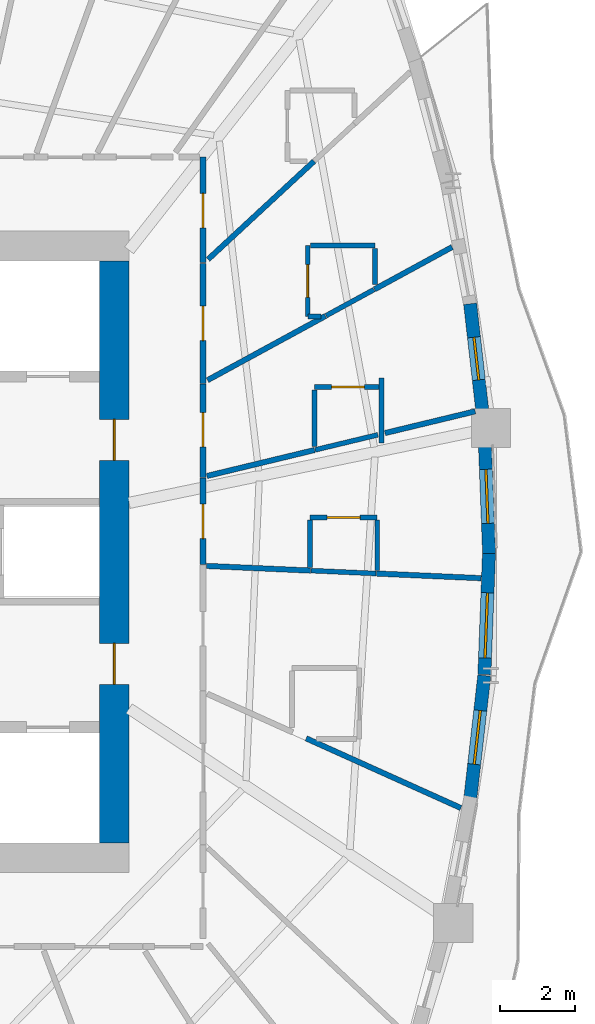
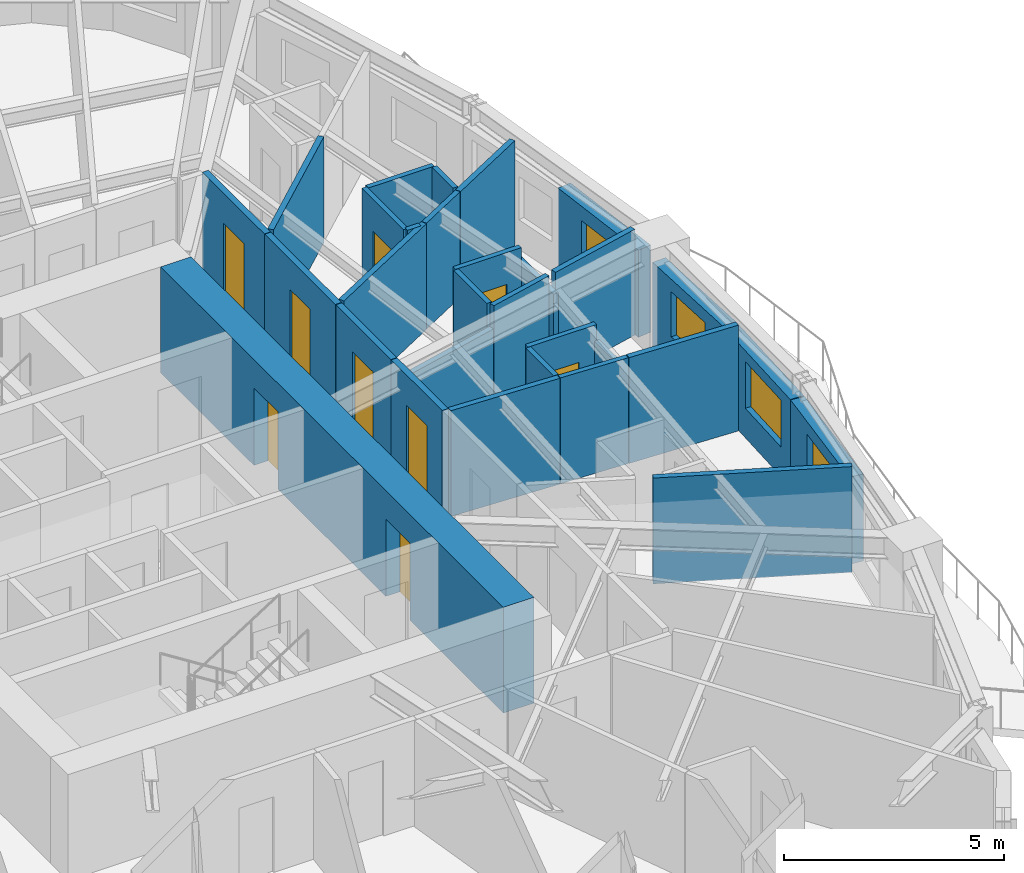
# One storey, part 7 of 14: 30 walls, 9 doors, 4 windows, 13 openings.
"""IFC4 building model written with IfcOpenShell, lengths in metres."""

from ifc_helpers import new_model, si_unit, direction, frame, frame_2d, origin, place, context, subcontext, project, spatial, rectangle, extrude, source, transform, mapped, material, layer, layer_set, type_object, element, fill, save


model = new_model("IFC4")

# Units and contexts
model_context = context("Model", 3, precision=1e-05, world=origin(), true_north=direction((0.0, 1.0)))
body_context = subcontext(model_context, "Body", "Model", "MODEL_VIEW")
ifc_project = project(units=[si_unit("LENGTHUNIT", "METRE"), si_unit("AREAUNIT", "SQUARE_METRE"), si_unit("VOLUMEUNIT", "CUBIC_METRE"), si_unit("PLANEANGLEUNIT", "RADIAN"), si_unit("MASSUNIT", "GRAM", prefix="KILO")], contexts=[model_context])

# Site, building, storey
site_placement = place(None, origin())
site = spatial("IfcSite", under=ifc_project, at=site_placement, CompositionType="ELEMENT")
building_placement = place(site_placement, origin())
building = spatial("IfcBuilding", under=site, at=building_placement, Name="Qafzar Sky-Pleat Residences", CompositionType="ELEMENT")
storey_placement = place(building_placement, frame((0.0, 0.0, 20.60009765625)))
storey = spatial("IfcBuildingStorey", under=building, at=storey_placement, Name="L05", CompositionType="ELEMENT", Elevation=20.60009765625)

# Wall, opening, door
ifc_material_1 = material(Name="Acoustic gypsum plasterboard partition", Category="gypsum")
ifc_layer_1 = layer(ifc_material_1, 0.159912109375)
ifc_layer_set_1 = layer_set([ifc_layer_1], Name="Acoustic gypsum plasterboard partition")
wall_type_1 = type_object("IfcWallType", Name="PART-COR-160", PredefinedType="PARTITIONING", material=ifc_layer_set_1)
wall_1_placement = place(storey_placement, frame((38.679931640625, 33.735107421875, 0.0), z_axis=(0.0, 0.0, 1.0), x_axis=(0.0, -1.0, 0.0)))
wall_1 = element("IfcWall", 1, at=wall_1_placement, inside=storey, type_object=wall_type_1, Name="L05 Partition Wall PART-L05-PW-007", PredefinedType="PARTITIONING", context=body_context, shape_type="SweptSolid", body=[
    extrude(rectangle(XDim=3.217041015625, YDim=0.159912109375, at=frame_2d((1.6083984375, 0.0))), origin(), (0.0, 0.0, 1.0), 2.93994140625),
])
opening_1_placement = place(wall_1_placement, frame((1.150390625, 0.0, 0.0)))
opening_1 = element("IfcOpeningElement", 2, at=opening_1_placement, cuts=wall_1, Name="Opening ID-04", PredefinedType="OPENING", context=body_context, shape_type="SweptSolid", body=[
    extrude(rectangle(XDim=0.919921875, YDim=2.10009765625, at=frame_2d((0.4599609375, 1.050048828125))), frame((0.0, 0.08984375, 0.0), z_axis=(0.0, -1.0, 0.0), x_axis=(1.0, 0.0, 0.0)), (0.0, 0.0, 1.0), 0.179931640625),
])
ifc_material_2 = material(Name="Timber-faced fire door", Category="wood")
door_type_1 = type_object("IfcDoorType", Name="DR-BED-920", OperationType="NOTDEFINED", PredefinedType="DOOR", material=ifc_material_2)
shared_shape_1 = source(origin(), body_context, "Body", "SweptSolid", [
    extrude(rectangle(XDim=0.919921875, YDim=2.10009765625, at=frame_2d((0.4599609375, 1.050048828125))), frame((0.0, 0.02490234375, 0.0), z_axis=(0.0, -1.0, 0.0), x_axis=(1.0, 0.0, 0.0)), (0.0, 0.0, 1.0), 0.050048828125),
])
door_1_placement = place(opening_1_placement, origin())
door_1 = element("IfcDoor", 3, at=door_1_placement, inside=storey, type_object=door_type_1, Name="L05 Co-Living Bedroom 14 Door", OperationType="SINGLE_SWING_RIGHT", OverallHeight=2.10009765625, OverallWidth=0.919921875, PredefinedType="DOOR", context=body_context, shape_type="MappedRepresentation", body=[
    mapped(shared_shape_1, transform((0.0, 0.0, 0.0), x_axis=(1.0, 0.0, 0.0), y_axis=(0.0, 1.0, 0.0), z_axis=(0.0, 0.0, 1.0), scale=1.0)),
])
fill(opening_1, door_1)

wall_2_placement = place(storey_placement, frame((38.679931640625, 36.580078125, 0.0), z_axis=(0.0, 0.0, 1.0), x_axis=(0.0, -1.0, 0.0)))
wall_2 = element("IfcWall", 4, at=wall_2_placement, inside=storey, type_object=wall_type_1, Name="L05 Partition Wall PART-L05-PW-009", PredefinedType="PARTITIONING", context=body_context, shape_type="SweptSolid", body=[
    extrude(rectangle(XDim=2.830078125, YDim=0.159912109375, at=frame_2d((1.4150390625, 0.0))), origin(), (0.0, 0.0, 1.0), 2.93994140625),
])
opening_2_placement = place(wall_2_placement, frame((0.972900390625, 0.0, 0.0)))
opening_2 = element("IfcOpeningElement", 5, at=opening_2_placement, cuts=wall_2, Name="Opening ID-04", PredefinedType="OPENING", context=body_context, shape_type="SweptSolid", body=[
    extrude(rectangle(XDim=0.919921875, YDim=2.10009765625, at=frame_2d((0.4599609375, 1.050048828125))), frame((0.0, 0.08984375, 0.0), z_axis=(0.0, -1.0, 0.0), x_axis=(1.0, 0.0, 0.0)), (0.0, 0.0, 1.0), 0.179931640625),
])
door_2_placement = place(opening_2_placement, origin())
door_2 = element("IfcDoor", 6, at=door_2_placement, inside=storey, type_object=door_type_1, Name="L05 Co-Living Bedroom 13 Door", OperationType="SINGLE_SWING_RIGHT", OverallHeight=2.10009765625, OverallWidth=0.919921875, PredefinedType="DOOR", context=body_context, shape_type="MappedRepresentation", body=[
    mapped(shared_shape_1, transform((0.0, 0.0, 0.0), x_axis=(1.0, 0.0, 0.0), y_axis=(0.0, 1.0, 0.0), z_axis=(0.0, 0.0, 1.0), scale=1.0)),
])
fill(opening_2, door_2)

wall_3_placement = place(storey_placement, frame((38.679931640625, 30.5029296875, 0.0), z_axis=(0.0, 0.0, 1.0), x_axis=(0.0, -1.0, 0.0)))
wall_3 = element("IfcWall", 7, at=wall_3_placement, inside=storey, type_object=wall_type_1, Name="L05 Partition Wall PART-L05-PW-012", PredefinedType="PARTITIONING", context=body_context, shape_type="SweptSolid", body=[
    extrude(rectangle(XDim=2.510009765625, YDim=0.159912109375, at=frame_2d((1.2548828125, 0.0))), origin(), (0.0, 0.0, 1.0), 2.93994140625),
])
opening_3_placement = place(wall_3_placement, frame((0.771484375, 0.0, 0.0)))
opening_3 = element("IfcOpeningElement", 8, at=opening_3_placement, cuts=wall_3, Name="Opening ID-04", PredefinedType="OPENING", context=body_context, shape_type="SweptSolid", body=[
    extrude(rectangle(XDim=0.919921875, YDim=2.10009765625, at=frame_2d((0.4599609375, 1.050048828125))), frame((0.0, 0.08984375, 0.0), z_axis=(0.0, -1.0, 0.0), x_axis=(1.0, 0.0, 0.0)), (0.0, 0.0, 1.0), 0.179931640625),
])
door_3_placement = place(opening_3_placement, origin())
door_3 = element("IfcDoor", 9, at=door_3_placement, inside=storey, type_object=door_type_1, Name="L05 Co-Living Bedroom 11 Door", OperationType="SINGLE_SWING_LEFT", OverallHeight=2.10009765625, OverallWidth=0.919921875, PredefinedType="DOOR", context=body_context, shape_type="MappedRepresentation", body=[
    mapped(shared_shape_1, transform((0.0, 0.0, 0.0), x_axis=(1.0, 0.0, 0.0), y_axis=(0.0, 1.0, 0.0), z_axis=(0.0, 0.0, 1.0), scale=1.0)),
])
fill(opening_3, door_3)

wall_4_placement = place(storey_placement, frame((38.679931640625, 27.97802734375, 0.0), z_axis=(0.0, 0.0, 1.0), x_axis=(0.0, -1.0, 0.0)))
wall_4 = element("IfcWall", 10, at=wall_4_placement, inside=storey, type_object=wall_type_1, Name="L05 Partition Wall PART-L05-PW-015", PredefinedType="PARTITIONING", context=body_context, shape_type="SweptSolid", body=[
    extrude(rectangle(XDim=2.321044921875, YDim=0.159912109375, at=frame_2d((1.16064453125, 0.0))), origin(), (0.0, 0.0, 1.0), 2.93994140625),
])
opening_4_placement = place(wall_4_placement, frame((0.700439453125, 0.0, 0.0)))
opening_4 = element("IfcOpeningElement", 11, at=opening_4_placement, cuts=wall_4, Name="Opening ID-04", PredefinedType="OPENING", context=body_context, shape_type="SweptSolid", body=[
    extrude(rectangle(XDim=0.919921875, YDim=2.10009765625, at=frame_2d((0.4599609375, 1.050048828125))), frame((0.0, 0.08984375, 0.0), z_axis=(0.0, -1.0, 0.0), x_axis=(1.0, 0.0, 0.0)), (0.0, 0.0, 1.0), 0.179931640625),
])
door_4_placement = place(opening_4_placement, origin())
door_4 = element("IfcDoor", 12, at=door_4_placement, inside=storey, type_object=door_type_1, Name="L05 Co-Living Bedroom 12 Door", OperationType="SINGLE_SWING_RIGHT", OverallHeight=2.10009765625, OverallWidth=0.919921875, PredefinedType="DOOR", context=body_context, shape_type="MappedRepresentation", body=[
    mapped(shared_shape_1, transform((0.0, 0.0, 0.0), x_axis=(1.0, 0.0, 0.0), y_axis=(0.0, 1.0, 0.0), z_axis=(0.0, 0.0, 1.0), scale=1.0)),
])
fill(opening_4, door_4)

# Walls
ifc_layer_2 = layer(ifc_material_1, 0.14501953125)
ifc_layer_set_2 = layer_set([ifc_layer_2], Name="Acoustic gypsum plasterboard partition")
wall_type_2 = type_object("IfcWallType", Name="PART-UNIT-145", PredefinedType="PARTITIONING", material=ifc_layer_set_2)
wall_5_placement = place(storey_placement, frame((41.447998046875, 21.0009765625, 0.0), z_axis=(0.0, 0.0, 1.0), x_axis=(0.911733501253, -0.410782208346, 0.0)))
element("IfcWall", 13, at=wall_5_placement, inside=storey, type_object=wall_type_2, Name="L05 Partition Wall PART-L05-PW-051", PredefinedType="PARTITIONING", context=body_context, shape_type="SweptSolid", body=[
    extrude(rectangle(XDim=4.546142578125, YDim=0.14501953125, at=frame_2d((2.27294921875, 0.0))), origin(), (0.0, 0.0, 1.0), 2.93994140625),
])
wall_6_placement = place(storey_placement, frame((38.815185546875, 33.839111328125, 0.0), z_axis=(0.0, 0.0, 1.0), x_axis=(0.733718730688, 0.67945332749, 0.0)))
element("IfcWall", 14, at=wall_6_placement, inside=storey, type_object=wall_type_2, Name="L05 Partition Wall PART-L05-PW-054", PredefinedType="PARTITIONING", context=body_context, shape_type="SweptSolid", body=[
    extrude(rectangle(XDim=3.869140625, YDim=0.14501953125, at=frame_2d((1.9345703125, 0.0))), origin(), (0.0, 0.0, 1.0), 2.93994140625),
])
wall_7_placement = place(storey_placement, frame((38.8017578125, 30.601318359375, 0.0), z_axis=(0.0, 0.0, 1.0), x_axis=(0.878335610987, 0.478044510973, 0.0)))
element("IfcWall", 15, at=wall_7_placement, inside=storey, type_object=wall_type_2, Name="L05 Partition Wall PART-L05-PW-055", PredefinedType="PARTITIONING", context=body_context, shape_type="SweptSolid", body=[
    extrude(rectangle(XDim=3.6015625, YDim=0.14501953125, at=frame_2d((1.80078125, 0.0))), origin(), (0.0, 0.0, 1.0), 2.93994140625),
])
wall_8_placement = place(storey_placement, frame((38.784912109375, 28.033203125, 0.0), z_axis=(0.0, 0.0, 1.0), x_axis=(0.972108739033, 0.234530593943, 0.0)))
element("IfcWall", 16, at=wall_8_placement, inside=storey, type_object=wall_type_2, Name="L05 Partition Wall PART-L05-PW-059", PredefinedType="PARTITIONING", context=body_context, shape_type="SweptSolid", body=[
    extrude(rectangle(XDim=2.966796875, YDim=0.14501953125, at=frame_2d((1.4833984375, 0.0))), origin(), (0.0, 0.0, 1.0), 2.307861328125),
])
wall_9_placement = place(storey_placement, frame((38.771240234375, 25.622802734375, 0.0), z_axis=(0.0, 0.0, 1.0), x_axis=(0.999004404192, -0.044611662199, 0.0)))
element("IfcWall", 17, at=wall_9_placement, inside=storey, type_object=wall_type_2, Name="L05 Partition Wall PART-L05-PW-061", PredefinedType="PARTITIONING", context=body_context, shape_type="SweptSolid", body=[
    extrude(rectangle(XDim=2.79638671875, YDim=0.14501953125, at=frame_2d((1.398193359375, 0.0))), origin(), (0.0, 0.0, 1.0), 2.93994140625),
])
wall_10_placement = place(storey_placement, frame((43.3349609375, 25.4189453125, 0.0), z_axis=(0.0, 0.0, 1.0), x_axis=(0.999002708223, -0.04464962444, 0.0)))
element("IfcWall", 18, at=wall_10_placement, inside=storey, type_object=wall_type_2, Name="L05 Partition Wall PART-L05-PW-062", PredefinedType="PARTITIONING", context=body_context, shape_type="SweptSolid", body=[
    extrude(rectangle(XDim=2.804931640625, YDim=0.14501953125, at=frame_2d((1.40234375, 0.0))), origin(), (0.0, 0.0, 1.0), 2.93994140625),
])
wall_11_placement = place(storey_placement, frame((43.558837890625, 29.18359375, 0.0), z_axis=(0.0, 0.0, 1.0), x_axis=(0.972124665715, 0.23446456941, 0.0)))
element("IfcWall", 19, at=wall_11_placement, inside=storey, type_object=wall_type_2, Name="L05 Partition Wall PART-L05-PW-064", PredefinedType="PARTITIONING", context=body_context, shape_type="SweptSolid", body=[
    extrude(rectangle(XDim=2.486572265625, YDim=0.14501953125, at=frame_2d((1.2431640625, 0.0))), origin(), (0.0, 0.0, 1.0), 2.93994140625),
])
wall_12_placement = place(storey_placement, frame((43.27490234375, 33.035888671875, 0.0), z_axis=(0.0, 0.0, 1.0), x_axis=(0.878237509553, 0.478224713721, 0.0)))
element("IfcWall", 20, at=wall_12_placement, inside=storey, type_object=wall_type_2, Name="L05 Partition Wall PART-L05-PW-065", PredefinedType="PARTITIONING", context=body_context, shape_type="SweptSolid", body=[
    extrude(rectangle(XDim=2.372314453125, YDim=0.14501953125, at=frame_2d((1.18603515625, 0.0))), origin(), (0.0, 0.0, 1.0), 2.93994140625),
])

# Wall, opening, door
ifc_material_3 = material(Name="Moisture-resistant gypsum partition", Category="gypsum")
ifc_layer_3 = layer(ifc_material_3, 0.1298828125)
ifc_layer_set_3 = layer_set([ifc_layer_3], Name="Moisture-resistant gypsum partition")
wall_type_3 = type_object("IfcWallType", Name="PART-WET-130", PredefinedType="PARTITIONING", material=ifc_layer_set_3)
wall_13_placement = place(storey_placement, frame((41.489990234375, 34.2080078125, 0.0), z_axis=(0.0, 0.0, 1.0), x_axis=(0.0, -1.0, 0.0)))
wall_13 = element("IfcWall", 21, at=wall_13_placement, inside=storey, type_object=wall_type_3, Name="L05 Partition Wall PART-L05-PW-025", PredefinedType="PARTITIONING", context=body_context, shape_type="SweptSolid", body=[
    extrude(rectangle(XDim=1.89990234375, YDim=0.1298828125, at=frame_2d((0.949951171875, 0.0))), origin(), (0.0, 0.0, 1.0), 2.93994140625),
])
opening_5_placement = place(wall_13_placement, frame((0.510009765625, 0.0, 0.0)))
opening_5 = element("IfcOpeningElement", 22, at=opening_5_placement, cuts=wall_13, Name="Opening ID-07", PredefinedType="OPENING", context=body_context, shape_type="SweptSolid", body=[
    extrude(rectangle(XDim=0.8798828125, YDim=2.050048828125, at=frame_2d((0.43994140625, 1.02490234375))), frame((0.0, 0.074951171875, 0.0), z_axis=(0.0, -1.0, 0.0), x_axis=(1.0, 0.0, 0.0)), (0.0, 0.0, 1.0), 0.14990234375),
])
door_type_2 = type_object("IfcDoorType", Name="DR-WET-880", OperationType="NOTDEFINED", PredefinedType="DOOR", material=ifc_material_2)
shared_shape_2 = source(origin(), body_context, "Body", "SweptSolid", [
    extrude(rectangle(XDim=0.8798828125, YDim=2.050048828125, at=frame_2d((0.43994140625, 1.02490234375))), frame((0.0, 0.02490234375, 0.0), z_axis=(0.0, -1.0, 0.0), x_axis=(1.0, 0.0, 0.0)), (0.0, 0.0, 1.0), 0.050048828125),
])
door_5_placement = place(opening_5_placement, origin())
door_5 = element("IfcDoor", 23, at=door_5_placement, inside=storey, type_object=door_type_2, Name="L05 En-suite Bathroom 14 Door", OperationType="SINGLE_SWING_RIGHT", OverallHeight=2.050048828125, OverallWidth=0.8798828125, PredefinedType="DOOR", context=body_context, shape_type="MappedRepresentation", body=[
    mapped(shared_shape_2, transform((0.0, 0.0, 0.0), x_axis=(1.0, 0.0, 0.0), y_axis=(0.0, 1.0, 0.0), z_axis=(0.0, 0.0, 1.0), scale=1.0)),
])
fill(opening_5, door_5)

wall_14_placement = place(storey_placement, frame((43.39599609375, 30.41796875, 0.0), z_axis=(0.0, 0.0, 1.0), x_axis=(-1.0, 0.0, 0.0)))
wall_14 = element("IfcWall", 24, at=wall_14_placement, inside=storey, type_object=wall_type_3, Name="L05 Partition Wall PART-L05-PW-027", PredefinedType="PARTITIONING", context=body_context, shape_type="SweptSolid", body=[
    extrude(rectangle(XDim=1.72705078125, YDim=0.1298828125, at=frame_2d((0.863525390625, 0.0))), origin(), (0.0, 0.0, 1.0), 2.93994140625),
])
opening_6_placement = place(wall_14_placement, frame((0.386962890625, 0.0, 0.0)))
opening_6 = element("IfcOpeningElement", 25, at=opening_6_placement, cuts=wall_14, Name="Opening ID-07", PredefinedType="OPENING", context=body_context, shape_type="SweptSolid", body=[
    extrude(rectangle(XDim=0.8798828125, YDim=2.050048828125, at=frame_2d((0.43994140625, 1.02490234375))), frame((0.0, 0.074951171875, 0.0), z_axis=(0.0, -1.0, 0.0), x_axis=(1.0, 0.0, 0.0)), (0.0, 0.0, 1.0), 0.14990234375),
])
door_6_placement = place(opening_6_placement, origin())
door_6 = element("IfcDoor", 26, at=door_6_placement, inside=storey, type_object=door_type_2, Name="L05 En-suite Bathroom 11 Door", OperationType="SINGLE_SWING_RIGHT", OverallHeight=2.050048828125, OverallWidth=0.8798828125, PredefinedType="DOOR", context=body_context, shape_type="MappedRepresentation", body=[
    mapped(shared_shape_2, transform((0.0, 0.0, 0.0), x_axis=(1.0, 0.0, 0.0), y_axis=(0.0, 1.0, 0.0), z_axis=(0.0, 0.0, 1.0), scale=1.0)),
])
fill(opening_6, door_6)

wall_15_placement = place(storey_placement, frame((43.35009765625, 26.922119140625, 0.0), z_axis=(0.0, 0.0, 1.0), x_axis=(-1.0, 0.0, 0.0)))
wall_15 = element("IfcWall", 27, at=wall_15_placement, inside=storey, type_object=wall_type_3, Name="L05 Partition Wall PART-L05-PW-028", PredefinedType="PARTITIONING", context=body_context, shape_type="SweptSolid", body=[
    extrude(rectangle(XDim=1.800048828125, YDim=0.1298828125, at=frame_2d((0.89990234375, 0.0))), origin(), (0.0, 0.0, 1.0), 2.93994140625),
])
opening_7_placement = place(wall_15_placement, frame((0.4599609375, 0.0, 0.0)))
opening_7 = element("IfcOpeningElement", 28, at=opening_7_placement, cuts=wall_15, Name="Opening ID-07", PredefinedType="OPENING", context=body_context, shape_type="SweptSolid", body=[
    extrude(rectangle(XDim=0.8798828125, YDim=2.050048828125, at=frame_2d((0.43994140625, 1.02490234375))), frame((0.0, 0.074951171875, 0.0), z_axis=(0.0, -1.0, 0.0), x_axis=(1.0, 0.0, 0.0)), (0.0, 0.0, 1.0), 0.14990234375),
])
door_7_placement = place(opening_7_placement, origin())
door_7 = element("IfcDoor", 29, at=door_7_placement, inside=storey, type_object=door_type_2, Name="L05 En-suite Bathroom 12 Door", OperationType="SINGLE_SWING_LEFT", OverallHeight=2.050048828125, OverallWidth=0.8798828125, PredefinedType="DOOR", context=body_context, shape_type="MappedRepresentation", body=[
    mapped(shared_shape_2, transform((0.0, 0.0, 0.0), x_axis=(1.0, 0.0, 0.0), y_axis=(0.0, 1.0, 0.0), z_axis=(0.0, 0.0, 1.0), scale=1.0)),
])
fill(opening_7, door_7)

# Walls
wall_16_placement = place(storey_placement, frame((41.68359375, 28.732421875, 0.0), z_axis=(0.0, 0.0, 1.0), x_axis=(0.972269386076, 0.233863722924, 0.0)))
element("IfcWall", 30, at=wall_16_placement, inside=storey, type_object=wall_type_3, Name="L05 Partition Wall PART-L05-PW-071", PredefinedType="PARTITIONING", context=body_context, shape_type="SweptSolid", body=[
    extrude(rectangle(XDim=1.73095703125, YDim=0.1298828125, at=frame_2d((0.865478515625, 0.0))), origin(), (0.0, 0.0, 1.0), 2.93994140625),
])
wall_17_placement = place(storey_placement, frame((41.56298828125, 34.2080078125, 0.0), z_axis=(0.0, 0.0, 1.0), x_axis=(1.0, 0.0, 0.0)))
element("IfcWall", 31, at=wall_17_placement, inside=storey, type_object=wall_type_3, Name="L05 Partition Wall PART-L05-PW-078", PredefinedType="PARTITIONING", context=body_context, shape_type="SweptSolid", body=[
    extrude(rectangle(XDim=1.72705078125, YDim=0.1298828125, at=frame_2d((0.863525390625, 0.0))), origin(), (0.0, 0.0, 1.0), 2.93994140625),
])
wall_18_placement = place(storey_placement, frame((41.580078125, 25.4970703125, 0.0), z_axis=(0.0, 0.0, 1.0), x_axis=(0.998993531001, -0.04485448715, 0.0)))
element("IfcWall", 32, at=wall_18_placement, inside=storey, type_object=wall_type_3, Name="L05 Partition Wall PART-L05-PW-081", PredefinedType="PARTITIONING", context=body_context, shape_type="SweptSolid", body=[
    extrude(rectangle(XDim=1.74169921875, YDim=0.1298828125, at=frame_2d((0.870849609375, 0.0))), origin(), (0.0, 0.0, 1.0), 2.93994140625),
])
wall_19_placement = place(storey_placement, frame((41.6689453125, 28.827392578125, 0.0), z_axis=(0.0, 0.0, 1.0), x_axis=(0.0, 1.0, 0.0)))
element("IfcWall", 33, at=wall_19_placement, inside=storey, type_object=wall_type_3, Name="L05 Partition Wall PART-L05-PW-083", PredefinedType="PARTITIONING", context=body_context, shape_type="SweptSolid", body=[
    extrude(rectangle(XDim=1.517578125, YDim=0.1298828125, at=frame_2d((0.7587890625, 0.0))), origin(), (0.0, 0.0, 1.0), 2.93994140625),
])
wall_20_placement = place(storey_placement, frame((43.35009765625, 25.50146484375, 0.0), z_axis=(0.0, 0.0, 1.0), x_axis=(0.0, 1.0, 0.0)))
element("IfcWall", 34, at=wall_20_placement, inside=storey, type_object=wall_type_3, Name="L05 Partition Wall PART-L05-PW-086", PredefinedType="PARTITIONING", context=body_context, shape_type="SweptSolid", body=[
    extrude(rectangle(XDim=1.34765625, YDim=0.1298828125, at=frame_2d((0.673828125, 0.0))), origin(), (0.0, 0.0, 1.0), 2.5078125),
])
wall_21_placement = place(storey_placement, frame((41.978271484375, 32.330078125, 0.0), z_axis=(0.0, 0.0, 1.0), x_axis=(0.878138043068, 0.478407334097, 0.0)))
element("IfcWall", 35, at=wall_21_placement, inside=storey, type_object=wall_type_3, Name="L05 Partition Wall PART-L05-PW-088", PredefinedType="PARTITIONING", context=body_context, shape_type="SweptSolid", body=[
    extrude(rectangle(XDim=1.461669921875, YDim=0.1298828125, at=frame_2d((0.73095703125, 0.0))), origin(), (0.0, 0.0, 1.0), 2.93994140625),
])
wall_22_placement = place(storey_placement, frame((41.550048828125, 25.58251953125, 0.0), z_axis=(0.0, 0.0, 1.0), x_axis=(0.0, 1.0, 0.0)))
element("IfcWall", 36, at=wall_22_placement, inside=storey, type_object=wall_type_3, Name="L05 Partition Wall PART-L05-PW-090", PredefinedType="PARTITIONING", context=body_context, shape_type="SweptSolid", body=[
    extrude(rectangle(XDim=1.2666015625, YDim=0.1298828125, at=frame_2d((0.63330078125, 0.0))), origin(), (0.0, 0.0, 1.0), 2.93994140625),
])
wall_23_placement = place(storey_placement, frame((43.468994140625, 28.922119140625, 0.0), z_axis=(0.0, 0.0, 1.0), x_axis=(0.0, 1.0, 0.0)))
element("IfcWall", 37, at=wall_23_placement, inside=storey, type_object=wall_type_3, Name="L05 Partition Wall PART-L05-PW-093", PredefinedType="PARTITIONING", context=body_context, shape_type="SweptSolid", body=[
    extrude(rectangle(XDim=1.73583984375, YDim=0.1298828125, at=frame_2d((0.867919921875, 0.0))), origin(), (0.0, 0.0, 1.0), 2.5078125),
])
wall_24_placement = place(storey_placement, frame((43.2900390625, 33.1708984375, 0.0), z_axis=(0.0, 0.0, 1.0), x_axis=(0.0, 1.0, 0.0)))
element("IfcWall", 38, at=wall_24_placement, inside=storey, type_object=wall_type_3, Name="L05 Partition Wall PART-L05-PW-095", PredefinedType="PARTITIONING", context=body_context, shape_type="SweptSolid", body=[
    extrude(rectangle(XDim=0.964111328125, YDim=0.1298828125, at=frame_2d((0.48193359375, 0.0))), origin(), (0.0, 0.0, 1.0), 2.93994140625),
])
wall_25_placement = place(storey_placement, frame((41.489990234375, 32.30810546875, 0.0), z_axis=(0.0, 0.0, 1.0), x_axis=(1.0, 0.0, 0.0)))
element("IfcWall", 39, at=wall_25_placement, inside=storey, type_object=wall_type_3, Name="L05 Partition Wall PART-L05-PW-101", PredefinedType="PARTITIONING", context=body_context, shape_type="SweptSolid", body=[
    extrude(rectangle(XDim=0.35693359375, YDim=0.1298828125, at=frame_2d((0.178466796875, 0.0))), origin(), (0.0, 0.0, 1.0), 2.93994140625),
])

# Wall, opening, window
ifc_material_4 = material(Name="Precast concrete C40/50 with honed Riyadh limestone", Category="concrete")
ifc_layer_4 = layer(ifc_material_4, 0.35009765625)
ifc_layer_set_4 = layer_set([ifc_layer_4], Name="Precast concrete C40/50 with honed Riyadh limestone")
wall_type_4 = type_object("IfcWallType", Name="WALL-EXT-350", PredefinedType="SOLIDWALL", material=ifc_layer_set_4)
wall_26_placement = place(storey_placement, frame((45.840576171875, 19.35009765625, 0.0), z_axis=(0.0, 0.0, 1.0), x_axis=(0.113290074291, 0.993561955324, 0.0)))
wall_26 = element("IfcWall", 40, at=wall_26_placement, inside=storey, type_object=wall_type_4, Name="L05 Limestone Facade Wall 26", PredefinedType="SOLIDWALL", context=body_context, shape_type="SweptSolid", body=[
    extrude(rectangle(XDim=3.355224609375, YDim=0.35009765625, at=frame_2d((1.677734375, 0.0))), origin(), (0.0, 0.0, 1.0), 2.419921875),
])
opening_8_placement = place(wall_26_placement, frame((0.962646484375, 0.0, 0.820068359375)))
opening_8 = element("IfcOpeningElement", 41, at=opening_8_placement, cuts=wall_26, Name="Opening WN-15", PredefinedType="OPENING", context=body_context, shape_type="SweptSolid", body=[
    extrude(rectangle(XDim=1.449951171875, YDim=1.25, at=frame_2d((0.72509765625, 0.625))), frame((0.0, 0.18505859375, 0.0), z_axis=(0.0, -1.0, 0.0), x_axis=(1.0, 0.0, 0.0)), (0.0, 0.0, 1.0), 0.3701171875),
])
ifc_material_5 = material(Name="Solar-control low-E glass in bronze aluminium frame", Category="glass")
window_type_1 = type_object("IfcWindowType", Name="WIN-15", PartitioningType="SINGLE_PANEL", PredefinedType="WINDOW", material=ifc_material_5)
shared_shape_3 = source(origin(), body_context, "Body", "SweptSolid", [
    extrude(rectangle(XDim=1.449951171875, YDim=1.25, at=frame_2d((0.72509765625, 0.625))), frame((0.0, 0.030029296875, 0.0), z_axis=(0.0, -1.0, 0.0), x_axis=(1.0, 0.0, 0.0)), (0.0, 0.0, 1.0), 0.06005859375),
])
window_1_placement = place(opening_8_placement, origin())
window_1 = element("IfcWindow", 42, at=window_1_placement, inside=storey, type_object=window_type_1, Name="L05 Punched Facade Window 26", OverallHeight=1.25, OverallWidth=1.449951171875, PartitioningType="SINGLE_PANEL", PredefinedType="WINDOW", context=body_context, shape_type="MappedRepresentation", body=[
    mapped(shared_shape_3, transform((0.0, 0.0, 0.0), x_axis=(1.0, 0.0, 0.0), y_axis=(0.0, 1.0, 0.0), z_axis=(0.0, 0.0, 1.0), scale=1.0)),
])
fill(opening_8, window_1)

wall_27_placement = place(storey_placement, frame((46.22265625, 22.710693359375, 0.0), z_axis=(0.0, 0.0, 1.0), x_axis=(0.037977854684, 0.999278581054, 0.0)))
wall_27 = element("IfcWall", 43, at=wall_27_placement, inside=storey, type_object=wall_type_4, Name="L05 Limestone Facade Wall 27", PredefinedType="SOLIDWALL", context=body_context, shape_type="SweptSolid", body=[
    extrude(rectangle(XDim=3.33642578125, YDim=0.35009765625, at=frame_2d((1.668212890625, 0.0))), origin(), (0.0, 0.0, 1.0), 2.419921875),
])
opening_9_placement = place(wall_27_placement, frame((0.443603515625, 0.0, 0.820068359375)))
opening_9 = element("IfcOpeningElement", 44, at=opening_9_placement, cuts=wall_27, Name="Opening WN-14", PredefinedType="OPENING", context=body_context, shape_type="SweptSolid", body=[
    extrude(rectangle(XDim=1.75, YDim=1.300048828125, at=frame_2d((0.875, 0.64990234375))), frame((0.0, 0.18505859375, 0.0), z_axis=(0.0, -1.0, 0.0), x_axis=(1.0, 0.0, 0.0)), (0.0, 0.0, 1.0), 0.3701171875),
])
window_type_2 = type_object("IfcWindowType", Name="WIN-14", PartitioningType="DOUBLE_PANEL_VERTICAL", PredefinedType="WINDOW", material=ifc_material_5)
shared_shape_4 = source(origin(), body_context, "Body", "SweptSolid", [
    extrude(rectangle(XDim=1.75, YDim=1.300048828125, at=frame_2d((0.875, 0.64990234375))), frame((0.0, 0.030029296875, 0.0), z_axis=(0.0, -1.0, 0.0), x_axis=(1.0, 0.0, 0.0)), (0.0, 0.0, 1.0), 0.06005859375),
])
window_2_placement = place(opening_9_placement, origin())
window_2 = element("IfcWindow", 45, at=window_2_placement, inside=storey, type_object=window_type_2, Name="L05 Punched Facade Window 27", OverallHeight=1.300048828125, OverallWidth=1.75, PartitioningType="SINGLE_PANEL", PredefinedType="WINDOW", context=body_context, shape_type="MappedRepresentation", body=[
    mapped(shared_shape_4, transform((0.0, 0.0, 0.0), x_axis=(1.0, 0.0, 0.0), y_axis=(0.0, 1.0, 0.0), z_axis=(0.0, 0.0, 1.0), scale=1.0)),
])
fill(opening_9, window_2)

wall_28_placement = place(storey_placement, frame((46.349365234375, 25.955322265625, 0.0), z_axis=(0.0, 0.0, 1.0), x_axis=(-0.038022046735, 0.999276900545, 0.0)))
wall_28 = element("IfcWall", 46, at=wall_28_placement, inside=storey, type_object=wall_type_4, Name="L05 Limestone Facade Wall 28", PredefinedType="SOLIDWALL", context=body_context, shape_type="SweptSolid", body=[
    extrude(rectangle(XDim=3.056396484375, YDim=0.35009765625, at=frame_2d((1.5283203125, 0.0))), origin(), (0.0, 0.0, 1.0), 2.419921875),
])
opening_10_placement = place(wall_28_placement, frame((0.80810546875, 0.0, 0.820068359375)))
opening_10 = element("IfcOpeningElement", 47, at=opening_10_placement, cuts=wall_28, Name="Opening WN-15", PredefinedType="OPENING", context=body_context, shape_type="SweptSolid", body=[
    extrude(rectangle(XDim=1.449951171875, YDim=1.25, at=frame_2d((0.72509765625, 0.625))), frame((0.0, 0.18505859375, 0.0), z_axis=(0.0, -1.0, 0.0), x_axis=(1.0, 0.0, 0.0)), (0.0, 0.0, 1.0), 0.3701171875),
])
window_3_placement = place(opening_10_placement, origin())
window_3 = element("IfcWindow", 48, at=window_3_placement, inside=storey, type_object=window_type_1, Name="L05 Punched Facade Window 28", OverallHeight=1.25, OverallWidth=1.449951171875, PartitioningType="SINGLE_PANEL", PredefinedType="WINDOW", context=body_context, shape_type="MappedRepresentation", body=[
    mapped(shared_shape_3, transform((0.0, 0.0, 0.0), x_axis=(1.0, 0.0, 0.0), y_axis=(0.0, 1.0, 0.0), z_axis=(0.0, 0.0, 1.0), scale=1.0)),
])
fill(opening_10, window_3)

wall_29_placement = place(storey_placement, frame((46.188720703125, 29.59423828125, 0.0), z_axis=(0.0, 0.0, 1.0), x_axis=(-0.113201797404, 0.99357201705, 0.0)))
wall_29 = element("IfcWall", 49, at=wall_29_placement, inside=storey, type_object=wall_type_4, Name="L05 Limestone Facade Wall 29", PredefinedType="SOLIDWALL", context=body_context, shape_type="SweptSolid", body=[
    extrude(rectangle(XDim=3.075439453125, YDim=0.35009765625, at=frame_2d((1.53759765625, 0.0))), origin(), (0.0, 0.0, 1.0), 2.419921875),
])
opening_11_placement = place(wall_29_placement, frame((1.022216796875, 0.0, 0.820068359375)))
opening_11 = element("IfcOpeningElement", 50, at=opening_11_placement, cuts=wall_29, Name="Opening WN-16", PredefinedType="OPENING", context=body_context, shape_type="SweptSolid", body=[
    extrude(rectangle(XDim=1.14990234375, YDim=1.199951171875, at=frame_2d((0.574951171875, 0.60009765625))), frame((0.0, 0.18505859375, 0.0), z_axis=(0.0, -1.0, 0.0), x_axis=(1.0, 0.0, 0.0)), (0.0, 0.0, 1.0), 0.3701171875),
])
window_type_3 = type_object("IfcWindowType", Name="WIN-16", PartitioningType="SINGLE_PANEL", PredefinedType="WINDOW", material=ifc_material_5)
shared_shape_5 = source(origin(), body_context, "Body", "SweptSolid", [
    extrude(rectangle(XDim=1.14990234375, YDim=1.199951171875, at=frame_2d((0.574951171875, 0.60009765625))), frame((0.0, 0.030029296875, 0.0), z_axis=(0.0, -1.0, 0.0), x_axis=(1.0, 0.0, 0.0)), (0.0, 0.0, 1.0), 0.06005859375),
])
window_4_placement = place(opening_11_placement, origin())
window_4 = element("IfcWindow", 51, at=window_4_placement, inside=storey, type_object=window_type_3, Name="L05 Punched Facade Window 29", OverallHeight=1.199951171875, OverallWidth=1.14990234375, PartitioningType="SINGLE_PANEL", PredefinedType="WINDOW", context=body_context, shape_type="MappedRepresentation", body=[
    mapped(shared_shape_5, transform((0.0, 0.0, 0.0), x_axis=(1.0, 0.0, 0.0), y_axis=(0.0, 1.0, 0.0), z_axis=(0.0, 0.0, 1.0), scale=1.0)),
])
fill(opening_11, window_4)

# Wall, openings, doors
ifc_material_6 = material(Name="Concrete C60/75", Category="concrete")
ifc_layer_5 = layer(ifc_material_6, 0.800048828125)
ifc_layer_set_5 = layer_set([ifc_layer_5], Name="Concrete C60/75")
wall_type_5 = type_object("IfcWallType", Name="WALL-SHEAR-800", PredefinedType="SHEAR", material=ifc_layer_set_5)
wall_30_placement = place(storey_placement, frame((36.300048828125, 18.199951171875, 0.0), z_axis=(0.0, 0.0, 1.0), x_axis=(0.0, 1.0, 0.0)))
wall_30 = element("IfcWall", 52, at=wall_30_placement, inside=storey, type_object=wall_type_5, Name="L05 CORE wall E", PredefinedType="SHEAR", context=body_context, shape_type="SweptSolid", body=[
    extrude(rectangle(XDim=15.60009765625, YDim=0.800048828125, at=frame_2d((7.800048828125, 0.0))), origin(), (0.0, 0.0, 1.0), 2.93994140625),
])
opening_12_placement = place(wall_30_placement, frame((4.25, 0.0, 0.0)))
opening_12 = element("IfcOpeningElement", 53, at=opening_12_placement, cuts=wall_30, Name="Opening ID-02", PredefinedType="OPENING", context=body_context, shape_type="SweptSolid", body=[
    extrude(rectangle(XDim=1.10009765625, YDim=2.14990234375, at=frame_2d((0.550048828125, 1.074951171875))), frame((0.0, 0.41015625, 0.0), z_axis=(0.0, -1.0, 0.0), x_axis=(1.0, 0.0, 0.0)), (0.0, 0.0, 1.0), 0.820068359375),
])
opening_13_placement = place(wall_30_placement, frame((10.25, 0.0, 0.0)))
opening_13 = element("IfcOpeningElement", 54, at=opening_13_placement, cuts=wall_30, Name="Opening ID-02", PredefinedType="OPENING", context=body_context, shape_type="SweptSolid", body=[
    extrude(rectangle(XDim=1.10009765625, YDim=2.14990234375, at=frame_2d((0.550048828125, 1.074951171875))), frame((0.0, 0.41015625, 0.0), z_axis=(0.0, -1.0, 0.0), x_axis=(1.0, 0.0, 0.0)), (0.0, 0.0, 1.0), 0.820068359375),
])
door_type_3 = type_object("IfcDoorType", Name="DR-FFL-1100", OperationType="NOTDEFINED", PredefinedType="DOOR", material=ifc_material_2)
shared_shape_6 = source(origin(), body_context, "Body", "SweptSolid", [
    extrude(rectangle(XDim=1.10009765625, YDim=2.14990234375, at=frame_2d((0.550048828125, 1.074951171875))), frame((0.0, 0.02490234375, 0.0), z_axis=(0.0, -1.0, 0.0), x_axis=(1.0, 0.0, 0.0)), (0.0, 0.0, 1.0), 0.050048828125),
])
door_8_placement = place(opening_12_placement, origin())
door_8 = element("IfcDoor", 55, at=door_8_placement, inside=storey, type_object=door_type_3, Name="L05 Firefighting Lobby South Corridor Door", OperationType="SINGLE_SWING_RIGHT", OverallHeight=2.14990234375, OverallWidth=1.10009765625, PredefinedType="DOOR", context=body_context, shape_type="MappedRepresentation", body=[
    mapped(shared_shape_6, transform((0.0, 0.0, 0.0), x_axis=(1.0, 0.0, 0.0), y_axis=(0.0, 1.0, 0.0), z_axis=(0.0, 0.0, 1.0), scale=1.0)),
])
fill(opening_12, door_8)
door_9_placement = place(opening_13_placement, origin())
door_9 = element("IfcDoor", 56, at=door_9_placement, inside=storey, type_object=door_type_3, Name="L05 Firefighting Lobby North Corridor Door", OperationType="SINGLE_SWING_LEFT", OverallHeight=2.14990234375, OverallWidth=1.10009765625, PredefinedType="DOOR", context=body_context, shape_type="MappedRepresentation", body=[
    mapped(shared_shape_6, transform((0.0, 0.0, 0.0), x_axis=(1.0, 0.0, 0.0), y_axis=(0.0, 1.0, 0.0), z_axis=(0.0, 0.0, 1.0), scale=1.0)),
])
fill(opening_13, door_9)

save(model, "model.ifc")
